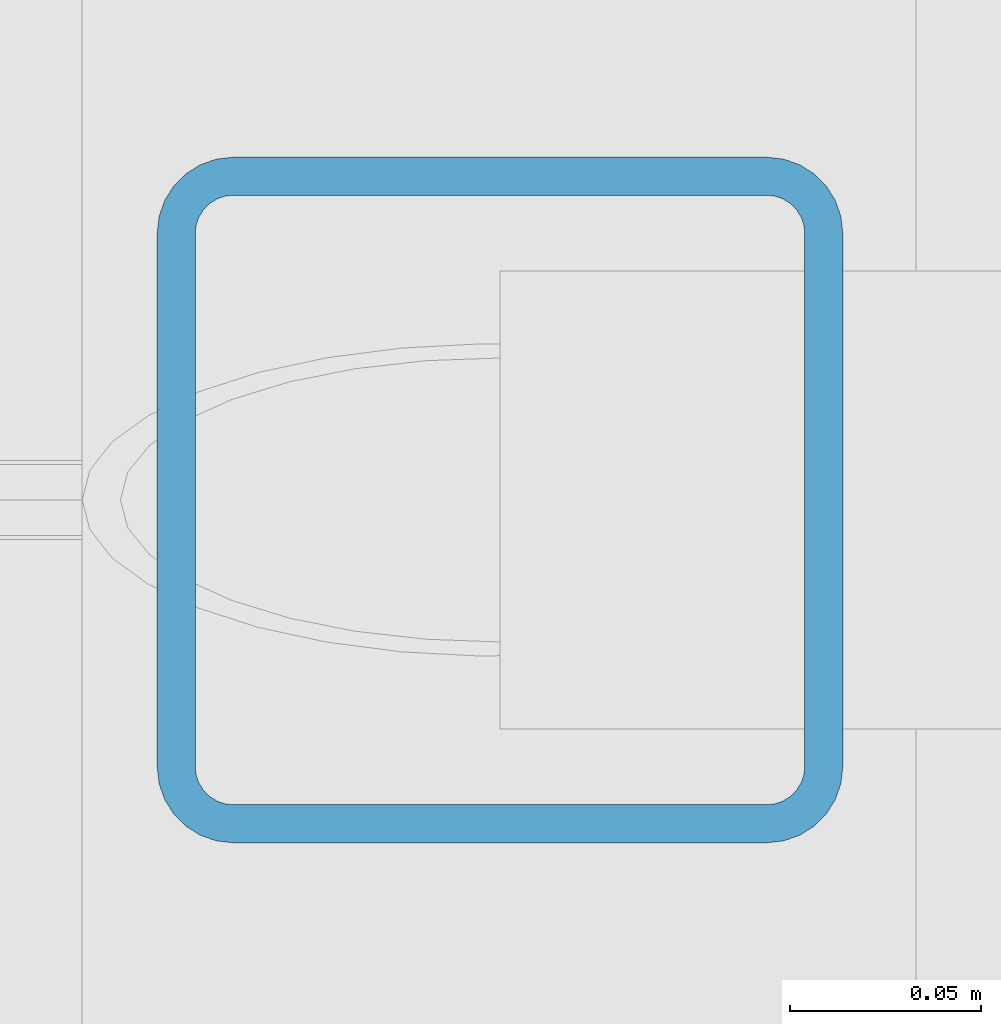
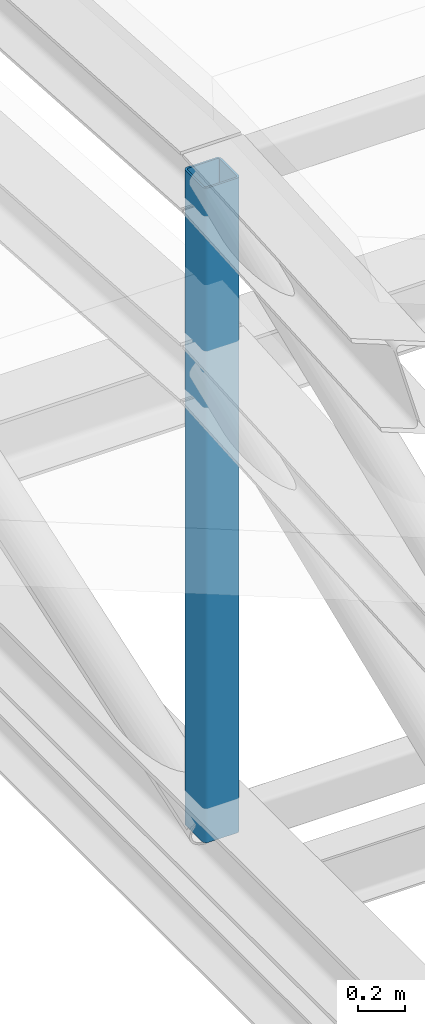
# One storey, part 27 of 76: 1 member.
"""IFC4 building model written with IfcOpenShell, lengths in metres."""

from ifc_helpers import new_model, si_unit, direction, frame, origin, origin_2d, place, context, subcontext, project, spatial, hollow_rectangle, extrude, material, material_profile, profile_set, type_object, element, save


model = new_model("IFC4")

# Units and contexts
model_context = context("Model", 3, precision=1e-05, world=origin(), true_north=direction((0.0, 1.0)))
body_context = subcontext(model_context, "Body", "Model", "MODEL_VIEW")
ifc_project = project(units=[si_unit("LENGTHUNIT", "METRE"), si_unit("AREAUNIT", "SQUARE_METRE"), si_unit("VOLUMEUNIT", "CUBIC_METRE"), si_unit("PLANEANGLEUNIT", "RADIAN"), si_unit("MASSUNIT", "GRAM", prefix="KILO")], contexts=[model_context])

# Site, building, storey
site_placement = place(None, origin())
site = spatial("IfcSite", under=ifc_project, at=site_placement, CompositionType="ELEMENT")
building_placement = place(site_placement, origin())
building = spatial("IfcBuilding", under=site, at=building_placement, Name="Zlatovets Crest Museum", CompositionType="ELEMENT")
storey_placement = place(building_placement, frame((0.0, 0.0, 17.10009765625)))
storey = spatial("IfcBuildingStorey", under=building, at=storey_placement, Name="L04", CompositionType="ELEMENT", Elevation=17.10009765625)

# Member
ifc_material = material(Name="Structural steel S355J2", Category="steel")
ifc_material_profile = material_profile(ifc_material, hollow_rectangle(XDim=0.179931640625, YDim=0.179931640625, WallThickness=0.010009765625, InnerFilletRadius=0.010009765625, OuterFilletRadius=0.02001953125, at=origin_2d()), Name="SHS 180x180x10.0")
ifc_profile_set = profile_set([ifc_material_profile], Name="Structural steel S355J2")
member_type = type_object("IfcMemberType", Name="Member_TM-04", PredefinedType="STRUT", material=ifc_profile_set)
member_placement = place(storey_placement, frame((7.199951171875, 75.60009765625, 0.079833984375), z_axis=(0.0, 0.0, 1.0), x_axis=(1.0, 0.0, 0.0)))
element("IfcMember", 1, at=member_placement, inside=storey, type_object=member_type, Name="V4 Barrel Vault Web Strut", PredefinedType="STRUT", context=body_context, shape_type="SweptSolid", body=[
    extrude(hollow_rectangle(XDim=0.179931640625, YDim=0.179931640625, WallThickness=0.010009765625, InnerFilletRadius=0.010009765625, OuterFilletRadius=0.02001953125, at=origin_2d()), origin(), (0.0, 0.0, 1.0), 3.420166015625),
])

save(model, "model.ifc")
